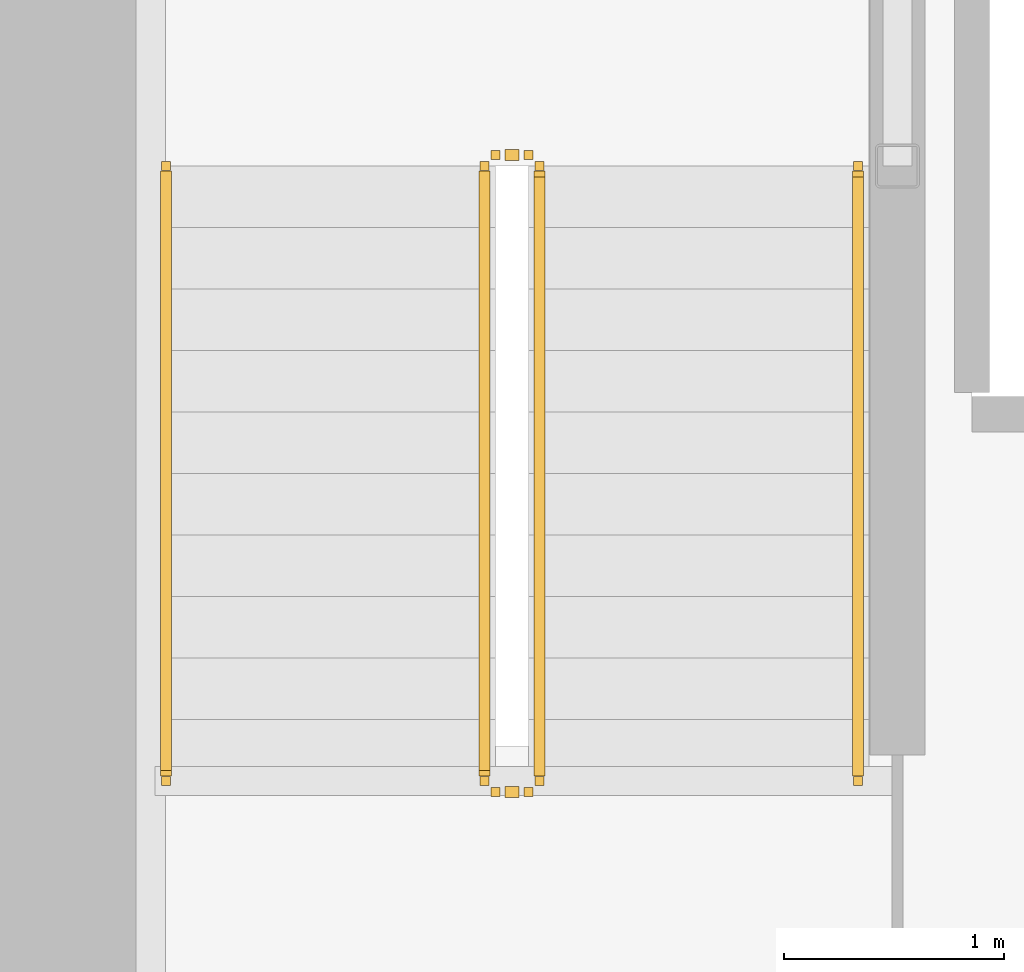
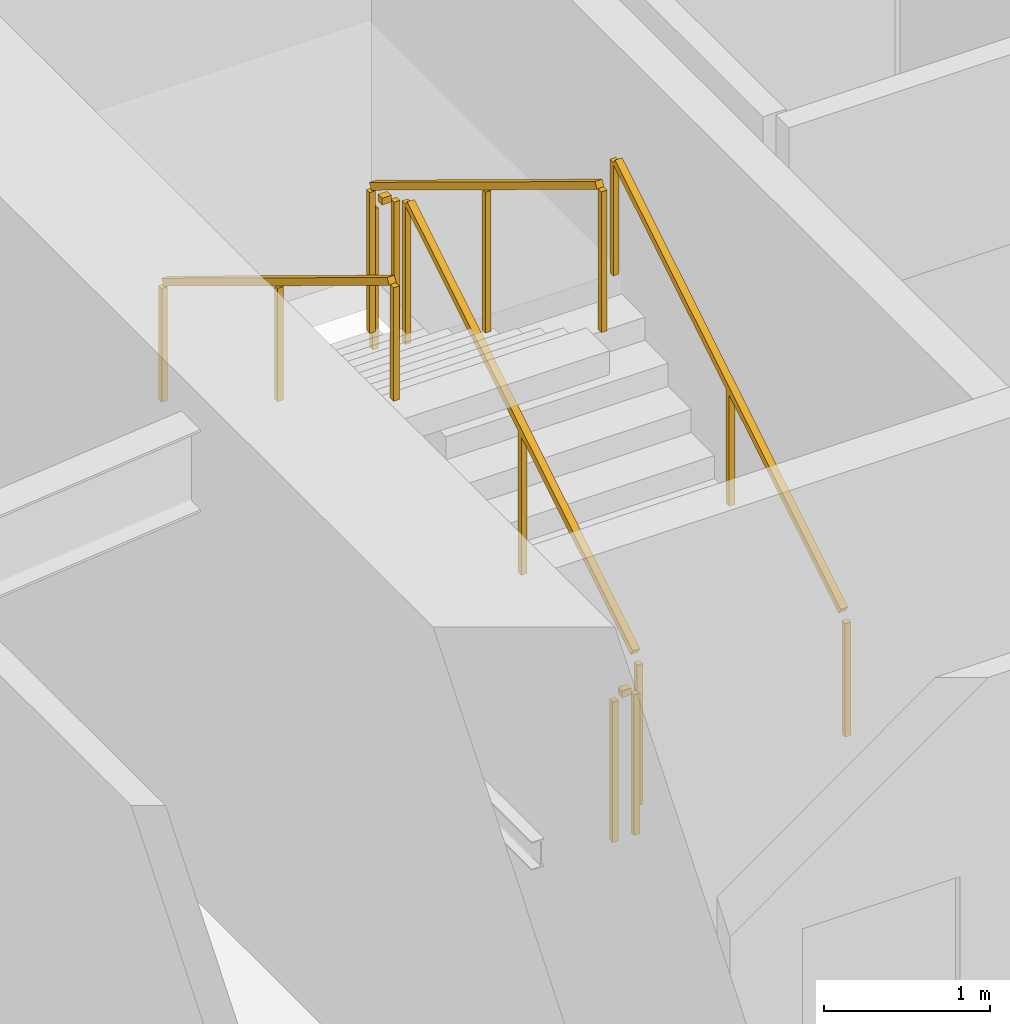
# One storey, part 26 of 31: 6 railings.
"""IFC4 building model written with IfcOpenShell, lengths in metres."""

from ifc_helpers import new_model, si_unit, direction, frame, origin, origin_2d, place, context, subcontext, project, spatial, rectangle, extrude, material, type_object, element, save


model = new_model("IFC4")

# Units and contexts
model_context = context("Model", 3, precision=1e-05, world=origin(), true_north=direction((0.0, 1.0)))
body_context = subcontext(model_context, "Body", "Model", "MODEL_VIEW")
ifc_project = project(units=[si_unit("LENGTHUNIT", "METRE"), si_unit("AREAUNIT", "SQUARE_METRE"), si_unit("VOLUMEUNIT", "CUBIC_METRE"), si_unit("PLANEANGLEUNIT", "RADIAN"), si_unit("MASSUNIT", "GRAM", prefix="KILO")], contexts=[model_context])

# Site, building, storey
site_placement = place(None, origin())
site = spatial("IfcSite", under=ifc_project, at=site_placement, CompositionType="ELEMENT")
building_placement = place(site_placement, origin())
building = spatial("IfcBuilding", under=site, at=building_placement, Name="Kazma Halo Residences", CompositionType="ELEMENT")
storey_placement = place(building_placement, frame((0.0, 0.0, 30.14990234375)))
storey = spatial("IfcBuildingStorey", under=building, at=storey_placement, Name="L06", CompositionType="ELEMENT", Elevation=30.14990234375)

# Railings
ifc_material_1 = material(Name="Painted Steel S355", Category="steel")
railing_type_1 = type_object("IfcRailingType", Name="RLG-STAIR-GRD-1100", PredefinedType="GUARDRAIL", material=ifc_material_1)
railing_1_placement = place(storey_placement, frame((39.550048828125, 39.949951171875, 0.170654296875)))
element("IfcRailing", 1, at=railing_1_placement, inside=storey, type_object=railing_type_1, Name="L06 ST-01 stair guard 1", PredefinedType="GUARDRAIL", context=body_context, shape_type="SweptSolid", body=[
    extrude(rectangle(XDim=0.050048828125, YDim=0.050048828125, at=origin_2d()), frame((0.0, 0.036376953125, 1.09716796875), z_axis=(0.0, 0.854202870247, 0.519939858505), x_axis=(-1.0, 0.0, 0.0)), (0.0, 0.0, 1.0), 3.19287109375),
    extrude(rectangle(XDim=0.0400390625, YDim=0.0400390625, at=origin_2d()), origin(), (0.0, 0.0, 1.0), 1.0380859375),
    extrude(rectangle(XDim=0.0400390625, YDim=0.0400390625, at=origin_2d()), frame((0.0, 1.39990234375, 0.85205078125)), (0.0, 0.0, 1.0), 1.0380859375),
    extrude(rectangle(XDim=0.0400390625, YDim=0.0400390625, at=origin_2d()), frame((0.0, 2.800048828125, 1.704345703125)), (0.0, 0.0, 1.0), 1.0380859375),
])
railing_2_placement = place(storey_placement, frame((39.5, 42.800048828125, 1.875)))
element("IfcRailing", 2, at=railing_2_placement, inside=storey, type_object=railing_type_1, Name="L06 ST-01 stair guard 2", PredefinedType="GUARDRAIL", context=body_context, shape_type="SweptSolid", body=[
    extrude(rectangle(XDim=0.050048828125, YDim=0.050048828125, at=origin_2d()), frame((-0.04248046875, 0.0, 1.0751953125), z_axis=(-1.0, 0.0, 0.0), x_axis=(0.0, -1.0, 0.0)), (0.0, 0.0, 1.0), 0.06494140625),
    extrude(rectangle(XDim=0.0400390625, YDim=0.0400390625, at=origin_2d()), origin(), (0.0, 0.0, 1.0), 1.0380859375),
    extrude(rectangle(XDim=0.0400390625, YDim=0.0400390625, at=origin_2d()), frame((-0.14990234375, 0.0, 0.0)), (0.0, 0.0, 1.0), 1.0380859375),
])
railing_3_placement = place(storey_placement, frame((39.300048828125, 42.75, 2.045654296875)))
element("IfcRailing", 3, at=railing_3_placement, inside=storey, type_object=railing_type_1, Name="L06 ST-01 stair guard 3", PredefinedType="GUARDRAIL", context=body_context, shape_type="SweptSolid", body=[
    extrude(rectangle(XDim=0.050048828125, YDim=0.050048828125, at=origin_2d()), frame((0.0, -0.036376953125, 1.09716796875), z_axis=(0.0, -0.854202870247, 0.519939858505), x_axis=(1.0, 0.0, 0.0)), (0.0, 0.0, 1.0), 3.19287109375),
    extrude(rectangle(XDim=0.0400390625, YDim=0.0400390625, at=origin_2d()), origin(), (0.0, 0.0, 1.0), 1.0380859375),
    extrude(rectangle(XDim=0.0400390625, YDim=0.0400390625, at=origin_2d()), frame((0.0, -1.39990234375, 0.85205078125)), (0.0, 0.0, 1.0), 1.0380859375),
    extrude(rectangle(XDim=0.0400390625, YDim=0.0400390625, at=origin_2d()), frame((0.0, -2.800048828125, 1.704345703125)), (0.0, 0.0, 1.0), 1.0380859375),
])
railing_4_placement = place(storey_placement, frame((39.5, 39.89990234375, 0.0)))
element("IfcRailing", 4, at=railing_4_placement, inside=storey, type_object=railing_type_1, Name="L06 ST-01 stair guard 4", PredefinedType="GUARDRAIL", context=body_context, shape_type="SweptSolid", body=[
    extrude(rectangle(XDim=0.050048828125, YDim=0.050048828125, at=origin_2d()), frame((-0.04248046875, 0.0, 1.0751953125), z_axis=(-1.0, 0.0, 0.0), x_axis=(0.0, -1.0, 0.0)), (0.0, 0.0, 1.0), 0.06494140625),
    extrude(rectangle(XDim=0.0400390625, YDim=0.0400390625, at=origin_2d()), origin(), (0.0, 0.0, 1.0), 1.0380859375),
    extrude(rectangle(XDim=0.0400390625, YDim=0.0400390625, at=origin_2d()), frame((-0.14990234375, 0.0, 0.0)), (0.0, 0.0, 1.0), 1.0380859375),
])
ifc_material_2 = material(Name="Brushed Stainless Steel", Category="steel")
railing_type_2 = type_object("IfcRailingType", Name="RLG-STAIR-HND-900", PredefinedType="HANDRAIL", material=ifc_material_2)
railing_5_placement = place(storey_placement, frame((41.0, 39.949951171875, 0.170654296875)))
element("IfcRailing", 5, at=railing_5_placement, inside=storey, type_object=railing_type_2, Name="L06 ST-01 stair handrail 1", PredefinedType="HANDRAIL", context=body_context, shape_type="SweptSolid", body=[
    extrude(rectangle(XDim=0.050048828125, YDim=0.050048828125, at=origin_2d()), frame((0.0, 0.036376953125, 0.89697265625), z_axis=(0.0, 0.854202870247, 0.519939858505), x_axis=(-1.0, 0.0, 0.0)), (0.0, 0.0, 1.0), 3.19287109375),
    extrude(rectangle(XDim=0.0400390625, YDim=0.0400390625, at=origin_2d()), origin(), (0.0, 0.0, 1.0), 0.837890625),
    extrude(rectangle(XDim=0.0400390625, YDim=0.0400390625, at=origin_2d()), frame((0.0, 1.39990234375, 0.85205078125)), (0.0, 0.0, 1.0), 0.837890625),
    extrude(rectangle(XDim=0.0400390625, YDim=0.0400390625, at=origin_2d()), frame((0.0, 2.800048828125, 1.704345703125)), (0.0, 0.0, 1.0), 0.837890625),
])
railing_6_placement = place(storey_placement, frame((37.85009765625, 42.75, 2.045654296875)))
element("IfcRailing", 6, at=railing_6_placement, inside=storey, type_object=railing_type_2, Name="L06 ST-01 stair handrail 2", PredefinedType="HANDRAIL", context=body_context, shape_type="SweptSolid", body=[
    extrude(rectangle(XDim=0.050048828125, YDim=0.050048828125, at=origin_2d()), frame((0.0, -0.036376953125, 0.89697265625), z_axis=(0.0, -0.854202870247, 0.519939858505), x_axis=(1.0, 0.0, 0.0)), (0.0, 0.0, 1.0), 3.19287109375),
    extrude(rectangle(XDim=0.0400390625, YDim=0.0400390625, at=origin_2d()), origin(), (0.0, 0.0, 1.0), 0.837890625),
    extrude(rectangle(XDim=0.0400390625, YDim=0.0400390625, at=origin_2d()), frame((0.0, -1.39990234375, 0.85205078125)), (0.0, 0.0, 1.0), 0.837890625),
    extrude(rectangle(XDim=0.0400390625, YDim=0.0400390625, at=origin_2d()), frame((0.0, -2.800048828125, 1.704345703125)), (0.0, 0.0, 1.0), 0.837890625),
])

save(model, "model.ifc")
